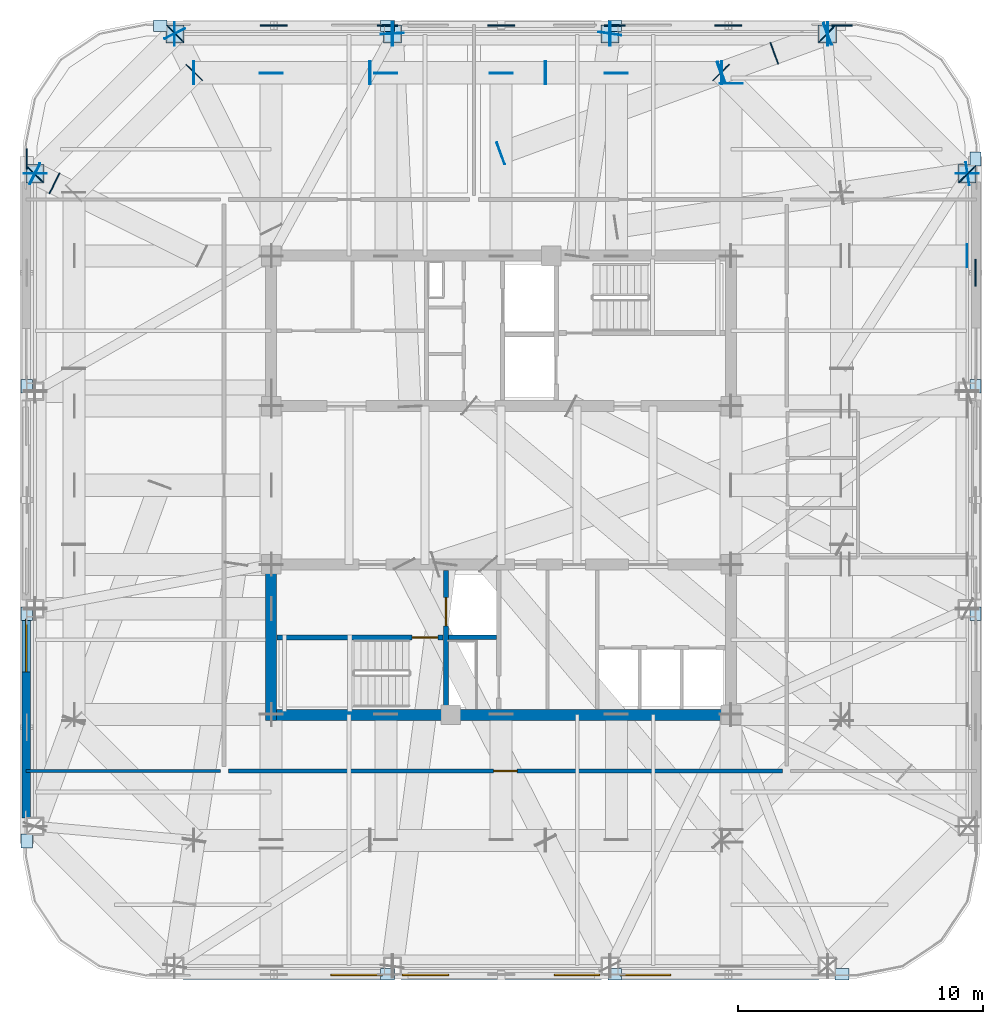
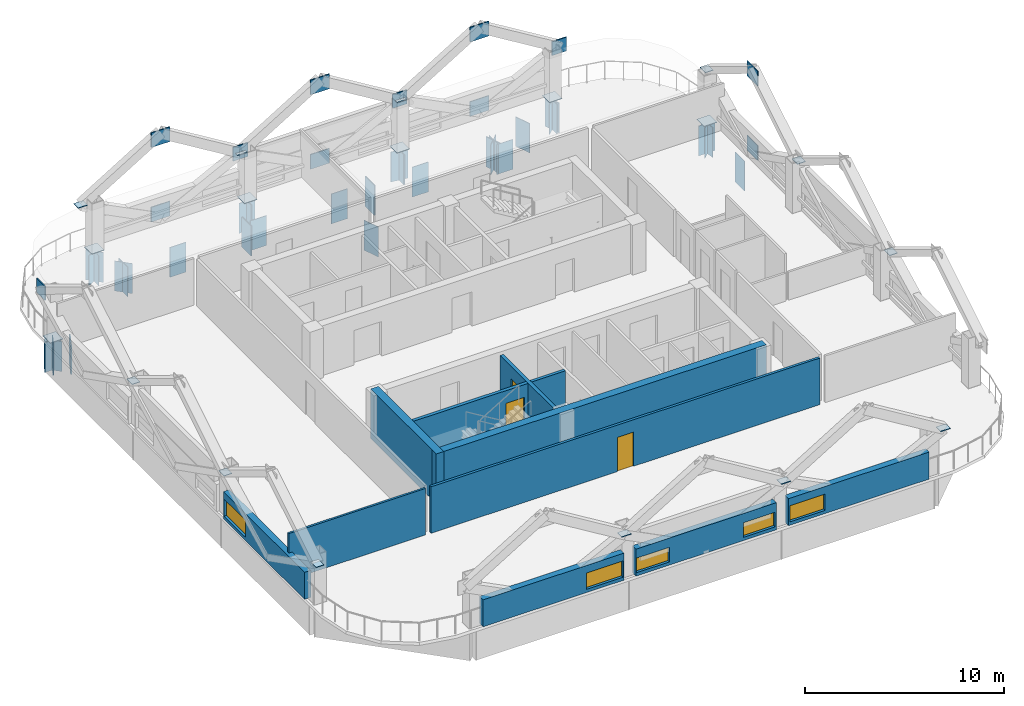
# One storey, part 5 of 11: 69 plates, 11 walls, 5 windows, 3 doors, 8 openings.
"""IFC4 building model written with IfcOpenShell, lengths in metres."""

from ifc_helpers import new_model, si_unit, direction, frame, frame_2d, origin, origin_2d, place, context, subcontext, project, spatial, rectangle, extrude, material, layer, layer_set, type_object, element, fill, save


model = new_model("IFC4")

# Units and contexts
model_context = context("Model", 3, precision=1e-05, world=origin(), true_north=direction((0.0, 1.0)))
body_context = subcontext(model_context, "Body", "Model", "MODEL_VIEW")
ifc_project = project(units=[si_unit("LENGTHUNIT", "METRE"), si_unit("AREAUNIT", "SQUARE_METRE"), si_unit("VOLUMEUNIT", "CUBIC_METRE"), si_unit("PLANEANGLEUNIT", "RADIAN"), si_unit("MASSUNIT", "GRAM", prefix="KILO")], contexts=[model_context])

# Site, building, storey
site_placement = place(None, origin())
site = spatial("IfcSite", under=ifc_project, at=site_placement, CompositionType="ELEMENT")
building_placement = place(site_placement, origin())
building = spatial("IfcBuilding", under=site, at=building_placement, Name="Qhalaya Broadcast Tower", CompositionType="ELEMENT")
storey_placement = place(building_placement, frame((0.0, 0.0, 199.5)))
storey = spatial("IfcBuildingStorey", under=building, at=storey_placement, Name="L58", CompositionType="ELEMENT", Elevation=199.5)

# Plates
ifc_material_1 = material(Name="Structural Steel ASTM A572 Grade 50", Category="steel")
ifc_layer_1 = layer(ifc_material_1, 0.054931640625, Name="Structural Steel ASTM A572 Grade 50")
ifc_layer_set_1 = layer_set([ifc_layer_1], Name="Structural Steel ASTM A572 Grade 50")
plate_type_1 = type_object("IfcPlateType", Name="Exoskeleton Diamond Node Gusset Plate NP-01", PredefinedType="USERDEFINED", material=ifc_layer_set_1)
for number, where, z_axis, x_axis, name in (
    (1, (19.340087890625, 9.2666015625, 0.2099609375), (0.0, 0.0, 1.0), (0.0, 1.0, 0.0), "Exoskeleton Diamond Node B5-E3-BOT"),
    (2, (19.340087890625, 9.2666015625, 4.780029296875), (0.0, 0.0, 1.0), (0.0, 1.0, 0.0), "Exoskeleton Diamond Node B5-E3-TOP"),
    (3, (9.2666015625, 19.340087890625, 0.2099609375), (0.0, 0.0, 1.0), (1.0, 0.0, 0.0), "Exoskeleton Diamond Node B5-N1-BOT"),
    (4, (9.2666015625, 19.340087890625, 4.780029296875), (0.0, 0.0, 1.0), (1.0, 0.0, 0.0), "Exoskeleton Diamond Node B5-N1-TOP"),
):
    element("IfcPlate", number, at=place(storey_placement, frame(where, z_axis=z_axis, x_axis=x_axis)), inside=storey, type_object=plate_type_1, Name=name, ObjectType="GUSSET_PLATE", PredefinedType="USERDEFINED", context=body_context, shape_type="SweptSolid", body=[
        extrude(rectangle(XDim=1.10009765625, YDim=0.054931640625, at=origin_2d()), origin(), (0.0, 0.0, 1.0), 0.89990234375),
    ])
plate_1_placement = place(storey_placement, frame((13.89990234375, 19.340087890625, 2.280029296875), z_axis=(0.0, 0.0, 1.0), x_axis=(1.0, 0.0, 0.0)))
element("IfcPlate", 5, at=plate_1_placement, inside=storey, type_object=plate_type_1, Name="Exoskeleton Diamond Node B5-N1-MDL", ObjectType="GUSSET_PLATE", PredefinedType="USERDEFINED", context=body_context, shape_type="SweptSolid", body=[
    extrude(rectangle(XDim=0.85009765625, YDim=0.054931640625, at=origin_2d()), origin(), (0.0, 0.0, 1.0), 0.85009765625),
])
for number, where, z_axis, x_axis, name in (
    (6, (0.0, 19.340087890625, 0.2099609375), (0.0, 0.0, 1.0), (1.0, 0.0, 0.0), "Exoskeleton Diamond Node B5-N2-BOT"),
    (7, (0.0, 19.340087890625, 4.780029296875), (0.0, 0.0, 1.0), (1.0, 0.0, 0.0), "Exoskeleton Diamond Node B5-N2-TOP"),
):
    element("IfcPlate", number, at=place(storey_placement, frame(where, z_axis=z_axis, x_axis=x_axis)), inside=storey, type_object=plate_type_1, Name=name, ObjectType="GUSSET_PLATE", PredefinedType="USERDEFINED", context=body_context, shape_type="SweptSolid", body=[
        extrude(rectangle(XDim=1.10009765625, YDim=0.054931640625, at=origin_2d()), origin(), (0.0, 0.0, 1.0), 0.89990234375),
    ])
plate_2_placement = place(storey_placement, frame((4.63330078125, 19.340087890625, 2.280029296875), z_axis=(0.0, 0.0, 1.0), x_axis=(1.0, 0.0, 0.0)))
element("IfcPlate", 8, at=plate_2_placement, inside=storey, type_object=plate_type_1, Name="Exoskeleton Diamond Node B5-N2-MDL", ObjectType="GUSSET_PLATE", PredefinedType="USERDEFINED", context=body_context, shape_type="SweptSolid", body=[
    extrude(rectangle(XDim=0.85009765625, YDim=0.054931640625, at=origin_2d()), origin(), (0.0, 0.0, 1.0), 0.85009765625),
])
for number, where, z_axis, x_axis, name in (
    (9, (-9.2666015625, 19.340087890625, 0.2099609375), (0.0, 0.0, 1.0), (1.0, 0.0, 0.0), "Exoskeleton Diamond Node B5-N3-BOT"),
    (10, (-9.2666015625, 19.340087890625, 4.780029296875), (0.0, 0.0, 1.0), (1.0, 0.0, 0.0), "Exoskeleton Diamond Node B5-N3-TOP"),
):
    element("IfcPlate", number, at=place(storey_placement, frame(where, z_axis=z_axis, x_axis=x_axis)), inside=storey, type_object=plate_type_1, Name=name, ObjectType="GUSSET_PLATE", PredefinedType="USERDEFINED", context=body_context, shape_type="SweptSolid", body=[
        extrude(rectangle(XDim=1.10009765625, YDim=0.054931640625, at=origin_2d()), origin(), (0.0, 0.0, 1.0), 0.89990234375),
    ])
for number, where, z_axis, x_axis, name in (
    (11, (-4.63330078125, 19.340087890625, 2.280029296875), (0.0, 0.0, 1.0), (1.0, 0.0, 0.0), "Exoskeleton Diamond Node B5-N3-MDL"),
    (12, (-19.340087890625, 13.89990234375, 2.280029296875), (0.0, 0.0, 1.0), (0.0, 1.0, 0.0), "Exoskeleton Diamond Node B5-W1-MDL"),
):
    element("IfcPlate", number, at=place(storey_placement, frame(where, z_axis=z_axis, x_axis=x_axis)), inside=storey, type_object=plate_type_1, Name=name, ObjectType="GUSSET_PLATE", PredefinedType="USERDEFINED", context=body_context, shape_type="SweptSolid", body=[
        extrude(rectangle(XDim=0.85009765625, YDim=0.054931640625, at=origin_2d()), origin(), (0.0, 0.0, 1.0), 0.85009765625),
    ])
ifc_layer_2 = layer(ifc_material_1, 0.4599609375, Name="Structural Steel ASTM A572 Grade 50")
ifc_layer_set_2 = layer_set([ifc_layer_2], Name="Structural Steel ASTM A572 Grade 50")
plate_type_2 = type_object("IfcPlateType", Name="Hollow Box Member End Cap Plate CP-01", PredefinedType="USERDEFINED", material=ifc_layer_set_2)
for number, where, z_axis, x_axis, name in (
    (13, (19.0, 13.31591796875, -2.01025390625), (0.0, 0.0, 1.0), (-1.0, 0.0, 0.0), "L58 Hollow Girder End Cap L58-SPR-07-B"),
    (14, (19.01123046875, 13.288818359375, -2.01025390625), (0.0, 0.0, 1.0), (-0.707106781187, -0.707106781187, 0.0), "L58 Hollow Girder End Cap L58-SPR-08-A"),
    (15, (13.288818359375, 19.01123046875, -2.01025390625), (0.0, 0.0, 1.0), (-0.707106781187, -0.707106781187, 0.0), "L58 Hollow Girder End Cap L58-SPR-08-B"),
    (16, (13.31591796875, 19.0, -2.01025390625), (0.0, 0.0, 1.0), (0.0, -1.0, 0.0), "L58 Hollow Girder End Cap L58-SPR-09-A"),
    (17, (4.417236328125, 19.0, -2.01025390625), (0.0, 0.0, 1.0), (0.0, -1.0, 0.0), "L58 Hollow Girder End Cap L58-SPR-09-B"),
    (18, (4.44921875, 19.0, -2.01025390625), (0.0, 0.0, 1.0), (0.0, -1.0, 0.0), "L58 Hollow Girder End Cap L58-SPR-10-A"),
    (19, (-4.44921875, 19.0, -2.01025390625), (0.0, 0.0, 1.0), (0.0, -1.0, 0.0), "L58 Hollow Girder End Cap L58-SPR-10-B"),
    (20, (-4.417236328125, 19.0, -2.01025390625), (0.0, 0.0, 1.0), (0.0, -1.0, 0.0), "L58 Hollow Girder End Cap L58-SPR-11-A"),
    (21, (-13.31591796875, 19.0, -2.01025390625), (0.0, 0.0, 1.0), (0.0, -1.0, 0.0), "L58 Hollow Girder End Cap L58-SPR-11-B"),
    (22, (-13.288818359375, 19.01123046875, -2.01025390625), (0.0, 0.0, 1.0), (0.707106781187, -0.707106781187, 0.0), "L58 Hollow Girder End Cap L58-SPR-12-A"),
    (23, (-19.01123046875, 13.288818359375, -2.01025390625), (0.0, 0.0, 1.0), (0.707106781187, -0.707106781187, 0.0), "L58 Hollow Girder End Cap L58-SPR-12-B"),
    (24, (-19.0, 13.31591796875, -2.01025390625), (0.0, 0.0, 1.0), (1.0, 0.0, 0.0), "L58 Hollow Girder End Cap L58-SPR-13-A"),
    (25, (8.96875, 17.431396484375, -2.01025390625), (0.0, 0.0, 1.0), (-0.707106781187, -0.707106781187, 0.0), "L58 Hollow Girder End Cap L58-TGL-08-B"),
    (26, (8.99609375, 17.419921875, -2.01025390625), (0.0, 0.0, 1.0), (0.0, -1.0, 0.0), "L58 Hollow Girder End Cap L58-TGL-09-A"),
    (27, (1.79736328125, 17.419921875, -2.01025390625), (0.0, 0.0, 1.0), (0.0, -1.0, 0.0), "L58 Hollow Girder End Cap L58-TGL-09-B"),
    (28, (1.829345703125, 17.419921875, -2.01025390625), (0.0, 0.0, 1.0), (0.0, -1.0, 0.0), "L58 Hollow Girder End Cap L58-TGL-10-A"),
    (29, (-5.369384765625, 17.419921875, -2.01025390625), (0.0, 0.0, 1.0), (0.0, -1.0, 0.0), "L58 Hollow Girder End Cap L58-TGL-10-B"),
    (30, (-5.33740234375, 17.419921875, -2.01025390625), (0.0, 0.0, 1.0), (0.0, -1.0, 0.0), "L58 Hollow Girder End Cap L58-TGL-11-A"),
    (31, (-12.535888671875, 17.419921875, -2.01025390625), (0.0, 0.0, 1.0), (0.0, -1.0, 0.0), "L58 Hollow Girder End Cap L58-TGL-11-B"),
    (32, (-12.5087890625, 17.431396484375, -2.01025390625), (0.0, 0.0, 1.0), (0.707106781187, -0.707106781187, 0.0), "L58 Hollow Girder End Cap L58-TGL-12-A"),
    (33, (-9.375, 17.39599609375, -2.01025390625), (0.0, 0.0, 1.0), (-1.0, 0.0, 0.0), "L58 Hollow Girder End Cap L58-TGINW-1-B"),
    (34, (9.375, 16.984375, -2.01025390625), (0.0, 0.0, 1.0), (-1.0, 0.0, 0.0), "L58 Hollow Girder End Cap L58-TGINE-1-B"),
    (35, (0.0, 17.39599609375, -2.01025390625), (0.0, 0.0, 1.0), (-1.0, 0.0, 0.0), "L58 Hollow Girder End Cap L58-TGIMN-1-B"),
    (36, (-4.699951171875, 17.39599609375, -2.01025390625), (0.0, 0.0, 1.0), (-1.0, 0.0, 0.0), "L58 Hollow Girder End Cap L58-TGIMNW-1-B"),
    (37, (4.699951171875, 17.39599609375, -2.01025390625), (0.0, 0.0, 1.0), (-1.0, 0.0, 0.0), "L58 Hollow Girder End Cap L58-TGIMNE-1-B"),
    (38, (19.015869140625, 13.302490234375, -2.01025390625), (0.0, 0.0, 1.0), (-0.150605193055, 0.988593989373, 0.0), "L58 Hollow Girder End Cap L58-TGC-08-B"),
    (39, (-0.014892578125, 14.130126953125, -2.01025390625), (0.0, 0.0, 1.0), (-0.343495786485, 0.939154217723, 0.0), "L58 Hollow Girder End Cap L58-TGA-09-A"),
    (40, (8.9951171875, 17.425537109375, -2.01025390625), (0.0, 0.0, 1.0), (-0.343495786485, 0.939154217723, 0.0), "L58 Hollow Girder End Cap L58-TGA-09-B"),
    (41, (8.965087890625, 17.41455078125, -2.01025390625), (0.0, 0.0, 1.0), (-0.343495786485, 0.939154217723, 0.0), "L58 Hollow Girder End Cap L58-TGC-09-A"),
    (42, (13.31494140625, 19.005615234375, -2.01025390625), (0.0, 0.0, 1.0), (-0.343495786485, 0.939154217723, 0.0), "L58 Hollow Girder End Cap L58-TGC-09-B"),
):
    element("IfcPlate", number, at=place(storey_placement, frame(where, z_axis=z_axis, x_axis=x_axis)), inside=storey, type_object=plate_type_2, Name=name, ObjectType="COVER_PLATE", PredefinedType="USERDEFINED", context=body_context, shape_type="SweptSolid", body=[
        extrude(rectangle(XDim=0.93994140625, YDim=0.031982421875, at=origin_2d()), origin(), (0.0, 0.0, 1.0), 1.840087890625),
    ])
plate_3_placement = place(storey_placement, frame((13.300048828125, 19.0, -1.990234375), z_axis=(0.0, 0.0, 1.0), x_axis=(-0.343495786485, 0.939154217723, 0.0)))
element("IfcPlate", 43, at=plate_3_placement, inside=storey, type_object=plate_type_2, Name="L58 Transfer Box End Cap 09", ObjectType="COVER_PLATE", PredefinedType="USERDEFINED", context=body_context, shape_type="SweptSolid", body=[
    extrude(rectangle(XDim=0.919921875, YDim=0.035888671875, at=origin_2d()), origin(), (0.0, 0.0, 1.0), 1.800048828125),
])
for number, where, z_axis, x_axis, name in (
    (44, (4.435546875, 19.015869140625, -2.01025390625), (0.0, 0.0, 1.0), (-0.989472813294, 0.144718871441, 0.0), "L58 Hollow Girder End Cap L58-TGA-10-B"),
    (45, (-4.43408203125, 19.01611328125, -2.01025390625), (0.0, 0.0, 1.0), (-0.998863409967, -0.047664328684, 0.0), "L58 Hollow Girder End Cap L58-TGA-11-B"),
    (46, (-13.30712890625, 19.014404296875, -2.01025390625), (0.0, 0.0, 1.0), (-0.896687397402, -0.442664332582, 0.0), "L58 Hollow Girder End Cap L58-TGA-12-B"),
    (47, (-19.014404296875, 13.30712890625, -2.01025390625), (0.0, 0.0, 1.0), (-0.442664332582, -0.896687397402, 0.0), "L58 Hollow Girder End Cap L58-TGA-13-B"),
):
    element("IfcPlate", number, at=place(storey_placement, frame(where, z_axis=z_axis, x_axis=x_axis)), inside=storey, type_object=plate_type_2, Name=name, ObjectType="COVER_PLATE", PredefinedType="USERDEFINED", context=body_context, shape_type="SweptSolid", body=[
        extrude(rectangle(XDim=0.93994140625, YDim=0.031982421875, at=origin_2d()), origin(), (0.0, 0.0, 1.0), 1.840087890625),
    ])
plate_4_placement = place(storey_placement, frame((-19.0, 13.300048828125, -1.990234375), z_axis=(0.0, 0.0, 1.0), x_axis=(-0.442664332582, -0.896687397402, 0.0)))
element("IfcPlate", 48, at=plate_4_placement, inside=storey, type_object=plate_type_2, Name="L58 Transfer Box End Cap 13", ObjectType="COVER_PLATE", PredefinedType="USERDEFINED", context=body_context, shape_type="SweptSolid", body=[
    extrude(rectangle(XDim=0.919921875, YDim=0.035888671875, at=origin_2d()), origin(), (0.0, 0.0, 1.0), 1.800048828125),
])
plate_5_placement = place(storey_placement, frame((18.99609375, 9.949951171875, -2.01025390625), z_axis=(0.0, 0.0, 1.0), x_axis=(0.0, 1.0, 0.0)))
element("IfcPlate", 49, at=plate_5_placement, inside=storey, type_object=plate_type_2, Name="L58 Hollow Girder End Cap L58-PGYE4-OV1-B", ObjectType="COVER_PLATE", PredefinedType="USERDEFINED", context=body_context, shape_type="SweptSolid", body=[
    extrude(rectangle(XDim=0.93994140625, YDim=0.031982421875, at=origin_2d()), origin(), (0.0, 0.0, 1.0), 1.840087890625),
])
for number, where, z_axis, x_axis, name in (
    (50, (19.0, 13.300048828125, -0.0322265625), (0.0, 0.0, 1.0), (0.0, 1.0, 0.0), "L58 Hollow Box Column Base Cap Plate COL-EX08"),
    (51, (13.300048828125, 19.0, -0.0322265625), (0.0, 0.0, 1.0), (1.0, 0.0, 0.0), "L58 Hollow Box Column Base Cap Plate COL-EX09"),
    (52, (4.433349609375, 19.0, -0.0322265625), (0.0, 0.0, 1.0), (1.0, 0.0, 0.0), "L58 Hollow Box Column Base Cap Plate COL-EX10"),
    (53, (-4.433349609375, 19.0, -0.0322265625), (0.0, 0.0, 1.0), (1.0, 0.0, 0.0), "L58 Hollow Box Column Base Cap Plate COL-EX11"),
    (54, (-13.300048828125, 19.0, -0.0322265625), (0.0, 0.0, 1.0), (1.0, 0.0, 0.0), "L58 Hollow Box Column Base Cap Plate COL-EX12"),
    (55, (-19.0, 13.300048828125, -0.0322265625), (0.0, 0.0, 1.0), (0.0, 1.0, 0.0), "L58 Hollow Box Column Base Cap Plate COL-EX13"),
):
    element("IfcPlate", number, at=place(storey_placement, frame(where, z_axis=z_axis, x_axis=x_axis)), inside=storey, type_object=plate_type_2, Name=name, ObjectType="COVER_PLATE", PredefinedType="USERDEFINED", context=body_context, shape_type="SweptSolid", body=[
        extrude(rectangle(XDim=0.739990234375, YDim=0.739990234375, at=origin_2d()), origin(), (0.0, 0.0, 1.0), 0.031982421875),
    ])
for number, where, z_axis, x_axis, name in (
    (56, (-4.63330078125, -19.340087890625, 2.68896484375), (0.0, 0.0, 1.0), (1.0, 0.0, 0.0), "Exoskeleton Hollow End Cap B5-S1"),
    (57, (4.63330078125, -19.340087890625, 2.68896484375), (0.0, 0.0, 1.0), (1.0, 0.0, 0.0), "Exoskeleton Hollow End Cap B5-S2"),
    (58, (13.89990234375, -19.340087890625, 2.68896484375), (0.0, 0.0, 1.0), (1.0, 0.0, 0.0), "Exoskeleton Hollow End Cap B5-S3"),
    (59, (19.340087890625, -4.63330078125, 2.68896484375), (0.0, 0.0, 1.0), (0.0, 1.0, 0.0), "Exoskeleton Hollow End Cap B5-E1"),
    (60, (19.340087890625, 4.63330078125, 2.68896484375), (0.0, 0.0, 1.0), (0.0, 1.0, 0.0), "Exoskeleton Hollow End Cap B5-E2"),
    (61, (19.340087890625, 13.89990234375, 2.68896484375), (0.0, 0.0, 1.0), (0.0, 1.0, 0.0), "Exoskeleton Hollow End Cap B5-E3"),
    (62, (4.63330078125, 19.340087890625, 2.68896484375), (0.0, 0.0, 1.0), (1.0, 0.0, 0.0), "Exoskeleton Hollow End Cap B5-N1"),
    (63, (-4.63330078125, 19.340087890625, 2.68896484375), (0.0, 0.0, 1.0), (1.0, 0.0, 0.0), "Exoskeleton Hollow End Cap B5-N2"),
    (64, (-13.89990234375, 19.340087890625, 2.68896484375), (0.0, 0.0, 1.0), (1.0, 0.0, 0.0), "Exoskeleton Hollow End Cap B5-N3"),
    (65, (-19.340087890625, 4.63330078125, 2.68896484375), (0.0, 0.0, 1.0), (0.0, 1.0, 0.0), "Exoskeleton Hollow End Cap B5-W1"),
    (66, (-19.340087890625, -4.63330078125, 2.68896484375), (0.0, 0.0, 1.0), (0.0, 1.0, 0.0), "Exoskeleton Hollow End Cap B5-W2"),
    (67, (-19.340087890625, -13.89990234375, 2.68896484375), (0.0, 0.0, 1.0), (0.0, 1.0, 0.0), "Exoskeleton Hollow End Cap B5-W3"),
):
    element("IfcPlate", number, at=place(storey_placement, frame(where, z_axis=z_axis, x_axis=x_axis)), inside=storey, type_object=plate_type_2, Name=name, ObjectType="COVER_PLATE", PredefinedType="USERDEFINED", context=body_context, shape_type="SweptSolid", body=[
        extrude(rectangle(XDim=0.56005859375, YDim=0.4599609375, at=origin_2d()), origin(), (0.0, 0.0, 1.0), 0.031982421875),
    ])
ifc_layer_3 = layer(ifc_material_1, 0.044921875, Name="Structural Steel ASTM A572 Grade 50")
ifc_layer_set_3 = layer_set([ifc_layer_3], Name="Structural Steel ASTM A572 Grade 50")
plate_type_3 = type_object("IfcPlateType", Name="Transfer Girder Web Stiffener Plate WS-01", PredefinedType="USERDEFINED", material=ifc_layer_set_3)
for number, where, z_axis, x_axis, name in (
    (68, (11.139892578125, 18.2099609375, -1.990234375), (0.0, 0.0, 1.0), (-0.343495786485, 0.939154217723, 0.0), "L58 Transfer Girder Stiffener 09"),
    (69, (-18.2099609375, 12.909912109375, -1.990234375), (0.0, 0.0, 1.0), (-0.442664332582, -0.896687397402, 0.0), "L58 Transfer Girder Stiffener 13"),
):
    element("IfcPlate", number, at=place(storey_placement, frame(where, z_axis=z_axis, x_axis=x_axis)), inside=storey, type_object=plate_type_3, Name=name, ObjectType="STIFFENER_PLATE", PredefinedType="USERDEFINED", context=body_context, shape_type="SweptSolid", body=[
        extrude(rectangle(XDim=0.93994140625, YDim=0.044921875, at=origin_2d()), origin(), (0.0, 0.0, 1.0), 1.800048828125),
    ])

# Wall, opening, door
ifc_material_2 = material(Name="Gypsum Acoustic Partition")
ifc_layer_4 = layer(ifc_material_2, 0.14990234375, Name="Gypsum Acoustic Partition")
ifc_layer_set_4 = layer_set([ifc_layer_4], Name="Gypsum Acoustic Partition")
wall_type_1 = type_object("IfcWallType", Name="Corridor & Tenancy Acoustic Partition 150", PredefinedType="PARTITIONING", material=ifc_layer_set_4)
wall_1_placement = place(storey_placement, frame((-11.1201171875, -11.050048828125, 0.0), z_axis=(0.0, 0.0, 1.0), x_axis=(1.0, 0.0, 0.0)))
wall_1 = element("IfcWall", 70, at=wall_1_placement, inside=storey, type_object=wall_type_1, Name="L58 Partition Wall W-COR-03", PredefinedType="PARTITIONING", context=body_context, shape_type="SweptSolid", body=[
    extrude(rectangle(XDim=22.590087890625, YDim=0.14990234375, at=frame_2d((11.294921875, 0.0))), origin(), (0.0, 0.0, 1.0), 2.860107421875),
])
opening_1_placement = place(wall_1_placement, frame((10.820068359375, 0.0, 0.0)))
opening_1 = element("IfcOpeningElement", 71, at=opening_1_placement, cuts=wall_1, Name="Opening D10", PredefinedType="OPENING", context=body_context, shape_type="SweptSolid", body=[
    extrude(rectangle(XDim=0.949951171875, YDim=2.10009765625, at=frame_2d((0.47509765625, 1.050048828125))), frame((0.0, 0.0869140625, 0.0), z_axis=(0.0, -1.0, 0.0), x_axis=(1.0, 0.0, 0.0)), (0.0, 0.0, 1.0), 0.173828125),
])
ifc_material_3 = material(Name="Timber Veneer Acoustic Door", Category="wood")
door_type_1 = type_object("IfcDoorType", Name="Cellular Office & Edit Booth Door D10", OperationType="NOTDEFINED", PredefinedType="DOOR", material=ifc_material_3)
door_1_placement = place(opening_1_placement, origin())
door_1 = element("IfcDoor", 72, at=door_1_placement, inside=storey, type_object=door_type_1, Name="L58 Door D-RM03", OperationType="SINGLE_SWING_RIGHT", OverallHeight=2.10009765625, OverallWidth=0.949951171875, PredefinedType="DOOR", context=body_context, shape_type="SweptSolid", body=[
    extrude(rectangle(XDim=0.949951171875, YDim=2.10009765625, at=frame_2d((0.47509765625, 1.050048828125))), frame((0.0, 0.02490234375, 0.0), z_axis=(0.0, -1.0, 0.0), x_axis=(1.0, 0.0, 0.0)), (0.0, 0.0, 1.0), 0.050048828125),
])
fill(opening_1, door_1)

# Wall, opening, window
ifc_material_4 = material(Name="Precast Concrete C40/50", Category="concrete")
ifc_layer_5 = layer(ifc_material_4, 0.360107421875, Name="Precast Concrete C40/50")
ifc_layer_set_5 = layer_set([ifc_layer_5], Name="Precast Concrete C40/50")
wall_type_2 = type_object("IfcWallType", Name="Insulated Precast Terracotta Exterior Wall 360", PredefinedType="SOLIDWALL", material=ifc_layer_set_5)
wall_2_placement = place(storey_placement, frame((12.9619140625, -19.360107421875, 0.0), z_axis=(0.0, 0.0, 1.0), x_axis=(-1.0, 0.0, 0.0)))
wall_2 = element("IfcWall", 73, at=wall_2_placement, inside=storey, type_object=wall_type_2, Name="L58 Exoskeleton Diagrid Infill Wall S1", PredefinedType="SOLIDWALL", context=body_context, shape_type="SweptSolid", body=[
    extrude(rectangle(XDim=8.1787109375, YDim=0.360107421875, at=frame_2d((4.08935546875, 0.0))), origin(), (0.0, 0.0, 1.0), 1.662109375),
])
opening_2_placement = place(wall_2_placement, frame((6.050048828125, 0.0, 0.199951171875)))
opening_2 = element("IfcOpeningElement", 74, at=opening_2_placement, cuts=wall_2, Name="Opening W13", PredefinedType="OPENING", context=body_context, shape_type="SweptSolid", body=[
    extrude(rectangle(XDim=2.050048828125, YDim=1.0, at=frame_2d((1.02490234375, 0.5))), frame((0.0, 0.192138671875, 0.0), z_axis=(0.0, -1.0, 0.0), x_axis=(1.0, 0.0, 0.0)), (0.0, 0.0, 1.0), 0.384033203125),
])
ifc_material_5 = material(Name="Solar-Control Low-E Triple Glazing", Category="glass")
window_type = type_object("IfcWindowType", Name="Upper-Block Diagrid Infill Window W13", PartitioningType="SINGLE_PANEL", PredefinedType="WINDOW", material=ifc_material_5)
window_1_placement = place(opening_2_placement, origin())
window_1 = element("IfcWindow", 75, at=window_1_placement, inside=storey, type_object=window_type, Name="L58 Diagrid Infill Window W13-S1", OverallHeight=1.0, OverallWidth=2.050048828125, PartitioningType="SINGLE_PANEL", PredefinedType="WINDOW", context=body_context, shape_type="SweptSolid", body=[
    extrude(rectangle(XDim=2.050048828125, YDim=1.0, at=frame_2d((1.02490234375, 0.5))), frame((0.0, 0.030029296875, 0.0), z_axis=(0.0, -1.0, 0.0), x_axis=(1.0, 0.0, 0.0)), (0.0, 0.0, 1.0), 0.06005859375),
])
fill(opening_2, window_1)

# Wall, openings, windows
wall_3_placement = place(storey_placement, frame((4.083251953125, -19.360107421875, 0.0), z_axis=(0.0, 0.0, 1.0), x_axis=(-1.0, 0.0, 0.0)))
wall_3 = element("IfcWall", 76, at=wall_3_placement, inside=storey, type_object=wall_type_2, Name="L58 Exoskeleton Diagrid Infill Wall S2", PredefinedType="SOLIDWALL", context=body_context, shape_type="SweptSolid", body=[
    extrude(rectangle(XDim=8.16650390625, YDim=0.360107421875, at=frame_2d((4.083251953125, 0.0))), origin(), (0.0, 0.0, 1.0), 1.662109375),
])
opening_3_placement = place(wall_3_placement, frame((0.071044921875, 0.0, 0.199951171875)))
opening_3 = element("IfcOpeningElement", 77, at=opening_3_placement, cuts=wall_3, Name="Opening W13", PredefinedType="OPENING", context=body_context, shape_type="SweptSolid", body=[
    extrude(rectangle(XDim=1.85009765625, YDim=0.89990234375, at=frame_2d((0.925048828125, 0.449951171875))), frame((0.0, 0.192138671875, 0.0), z_axis=(0.0, -1.0, 0.0), x_axis=(1.0, 0.0, 0.0)), (0.0, 0.0, 1.0), 0.384033203125),
])
opening_4_placement = place(wall_3_placement, frame((6.220947265625, 0.0, 0.199951171875)))
opening_4 = element("IfcOpeningElement", 78, at=opening_4_placement, cuts=wall_3, Name="Opening W13", PredefinedType="OPENING", context=body_context, shape_type="SweptSolid", body=[
    extrude(rectangle(XDim=1.89990234375, YDim=0.89990234375, at=frame_2d((0.949951171875, 0.449951171875))), frame((0.0, 0.192138671875, 0.0), z_axis=(0.0, -1.0, 0.0), x_axis=(1.0, 0.0, 0.0)), (0.0, 0.0, 1.0), 0.384033203125),
])
window_2_placement = place(opening_3_placement, origin())
window_2 = element("IfcWindow", 79, at=window_2_placement, inside=storey, type_object=window_type, Name="L58 Diagrid Infill Window W13-S2", OverallHeight=0.89990234375, OverallWidth=1.85009765625, PartitioningType="SINGLE_PANEL", PredefinedType="WINDOW", context=body_context, shape_type="SweptSolid", body=[
    extrude(rectangle(XDim=1.85009765625, YDim=0.89990234375, at=frame_2d((0.925048828125, 0.449951171875))), frame((0.0, 0.030029296875, 0.0), z_axis=(0.0, -1.0, 0.0), x_axis=(1.0, 0.0, 0.0)), (0.0, 0.0, 1.0), 0.06005859375),
])
fill(opening_3, window_2)
window_3_placement = place(opening_4_placement, origin())
window_3 = element("IfcWindow", 80, at=window_3_placement, inside=storey, type_object=window_type, Name="L58 Diagrid Infill Window W13-S3", OverallHeight=0.89990234375, OverallWidth=1.89990234375, PartitioningType="SINGLE_PANEL", PredefinedType="WINDOW", context=body_context, shape_type="SweptSolid", body=[
    extrude(rectangle(XDim=1.89990234375, YDim=0.89990234375, at=frame_2d((0.949951171875, 0.449951171875))), frame((0.0, 0.030029296875, 0.0), z_axis=(0.0, -1.0, 0.0), x_axis=(1.0, 0.0, 0.0)), (0.0, 0.0, 1.0), 0.06005859375),
])
fill(opening_4, window_3)

# Wall, opening, window
wall_4_placement = place(storey_placement, frame((-4.783203125, -19.360107421875, 0.0), z_axis=(0.0, 0.0, 1.0), x_axis=(-1.0, 0.0, 0.0)))
wall_4 = element("IfcWall", 81, at=wall_4_placement, inside=storey, type_object=wall_type_2, Name="L58 Exoskeleton Diagrid Infill Wall S3", PredefinedType="SOLIDWALL", context=body_context, shape_type="SweptSolid", body=[
    extrude(rectangle(XDim=8.1787109375, YDim=0.360107421875, at=frame_2d((4.08935546875, 0.0))), origin(), (0.0, 0.0, 1.0), 1.662109375),
])
opening_5_placement = place(wall_4_placement, frame((0.054931640625, 0.0, 0.199951171875)))
opening_5 = element("IfcOpeningElement", 82, at=opening_5_placement, cuts=wall_4, Name="Opening W13", PredefinedType="OPENING", context=body_context, shape_type="SweptSolid", body=[
    extrude(rectangle(XDim=2.10009765625, YDim=1.0, at=frame_2d((1.050048828125, 0.5))), frame((0.0, 0.192138671875, 0.0), z_axis=(0.0, -1.0, 0.0), x_axis=(1.0, 0.0, 0.0)), (0.0, 0.0, 1.0), 0.384033203125),
])
window_4_placement = place(opening_5_placement, origin())
window_4 = element("IfcWindow", 83, at=window_4_placement, inside=storey, type_object=window_type, Name="L58 Diagrid Infill Window W13-S4", OverallHeight=1.0, OverallWidth=2.10009765625, PartitioningType="SINGLE_PANEL", PredefinedType="WINDOW", context=body_context, shape_type="SweptSolid", body=[
    extrude(rectangle(XDim=2.10009765625, YDim=1.0, at=frame_2d((1.050048828125, 0.5))), frame((0.0, 0.030029296875, 0.0), z_axis=(0.0, -1.0, 0.0), x_axis=(1.0, 0.0, 0.0)), (0.0, 0.0, 1.0), 0.06005859375),
])
fill(opening_5, window_4)

wall_5_placement = place(storey_placement, frame((-19.360107421875, -12.9619140625, 0.0), z_axis=(0.0, 0.0, 1.0), x_axis=(0.0, 1.0, 0.0)))
wall_5 = element("IfcWall", 84, at=wall_5_placement, inside=storey, type_object=wall_type_2, Name="L58 Exoskeleton Diagrid Infill Wall W1", PredefinedType="SOLIDWALL", context=body_context, shape_type="SweptSolid", body=[
    extrude(rectangle(XDim=8.1787109375, YDim=0.360107421875, at=frame_2d((4.08935546875, 0.0))), origin(), (0.0, 0.0, 1.0), 1.662109375),
])
opening_6_placement = place(wall_5_placement, frame((5.949951171875, 0.0, 0.199951171875)))
opening_6 = element("IfcOpeningElement", 85, at=opening_6_placement, cuts=wall_5, Name="Opening W13", PredefinedType="OPENING", context=body_context, shape_type="SweptSolid", body=[
    extrude(rectangle(XDim=2.14990234375, YDim=1.050048828125, at=frame_2d((1.074951171875, 0.52490234375))), frame((0.0, 0.192138671875, 0.0), z_axis=(0.0, -1.0, 0.0), x_axis=(1.0, 0.0, 0.0)), (0.0, 0.0, 1.0), 0.384033203125),
])
window_5_placement = place(opening_6_placement, origin())
window_5 = element("IfcWindow", 86, at=window_5_placement, inside=storey, type_object=window_type, Name="L58 Diagrid Infill Window W13-W1", OverallHeight=1.050048828125, OverallWidth=2.14990234375, PartitioningType="SINGLE_PANEL", PredefinedType="WINDOW", context=body_context, shape_type="SweptSolid", body=[
    extrude(rectangle(XDim=2.14990234375, YDim=1.050048828125, at=frame_2d((1.074951171875, 0.52490234375))), frame((0.0, 0.030029296875, 0.0), z_axis=(0.0, -1.0, 0.0), x_axis=(1.0, 0.0, 0.0)), (0.0, 0.0, 1.0), 0.06005859375),
])
fill(opening_6, window_5)

# Wall, opening, door
ifc_material_6 = material(Name="Concrete C50/60", Category="concrete")
ifc_layer_6 = layer(ifc_material_6, 0.199951171875, Name="Concrete C50/60")
ifc_layer_set_6 = layer_set([ifc_layer_6], Name="Concrete C50/60")
wall_type_3 = type_object("IfcWallType", Name="Load-Bearing Stair Shaft Wall 200", PredefinedType="SHEAR", material=ifc_layer_set_6)
wall_6_placement = place(storey_placement, frame((-9.1298828125, -5.60498046875, 0.0), z_axis=(0.0, 0.0, 1.0), x_axis=(1.0, 0.0, 0.0)))
wall_6 = element("IfcWall", 87, at=wall_6_placement, inside=storey, type_object=wall_type_3, Name="L58 Stair Core Shear Wall SCW-ST2", PredefinedType="SHEAR", context=body_context, shape_type="SweptSolid", body=[
    extrude(rectangle(XDim=6.769775390625, YDim=0.199951171875, at=frame_2d((3.384765625, 0.0))), origin(), (0.0, 0.0, 1.0), 2.860107421875),
])
opening_7_placement = place(wall_6_placement, frame((5.5, 0.0, 0.0)))
opening_7 = element("IfcOpeningElement", 88, at=opening_7_placement, cuts=wall_6, Name="Opening D03", PredefinedType="OPENING", context=body_context, shape_type="SweptSolid", body=[
    extrude(rectangle(XDim=1.050048828125, YDim=2.080078125, at=frame_2d((0.52490234375, 1.0400390625))), frame((0.0, 0.112060546875, 0.0), z_axis=(0.0, -1.0, 0.0), x_axis=(1.0, 0.0, 0.0)), (0.0, 0.0, 1.0), 0.223876953125),
])
ifc_material_7 = material(Name="Fire-Rated Steel Door", Category="steel")
door_type_2 = type_object("IfcDoorType", Name="Core Stair Protected Fire Door D03", OperationType="NOTDEFINED", PredefinedType="DOOR", material=ifc_material_7)
door_2_placement = place(opening_7_placement, origin())
door_2 = element("IfcDoor", 89, at=door_2_placement, inside=storey, type_object=door_type_2, Name="L58 Door D-SST2", OperationType="SINGLE_SWING_RIGHT", OverallHeight=2.080078125, OverallWidth=1.050048828125, PredefinedType="DOOR", context=body_context, shape_type="SweptSolid", body=[
    extrude(rectangle(XDim=1.050048828125, YDim=2.080078125, at=frame_2d((0.52490234375, 1.0400390625))), frame((0.0, 0.02490234375, 0.0), z_axis=(0.0, -1.0, 0.0), x_axis=(1.0, 0.0, 0.0)), (0.0, 0.0, 1.0), 0.050048828125),
])
fill(opening_7, door_2)

wall_7_placement = place(storey_placement, frame((-2.25, -8.530029296875, 0.0), z_axis=(0.0, 0.0, 1.0), x_axis=(0.0, 1.0, 0.0)))
wall_7 = element("IfcWall", 90, at=wall_7_placement, inside=storey, type_object=wall_type_3, Name="L58 Stair Core Shear Wall SCW-FF", PredefinedType="SHEAR", context=body_context, shape_type="SweptSolid", body=[
    extrude(rectangle(XDim=5.659912109375, YDim=0.199951171875, at=frame_2d((2.830078125, 0.0))), origin(), (0.0, 0.0, 1.0), 2.860107421875),
])
opening_8_placement = place(wall_7_placement, frame((3.39990234375, 0.0, 0.0)))
opening_8 = element("IfcOpeningElement", 91, at=opening_8_placement, cuts=wall_7, Name="Opening LD2", PredefinedType="OPENING", context=body_context, shape_type="SweptSolid", body=[
    extrude(rectangle(XDim=1.14990234375, YDim=2.080078125, at=frame_2d((0.574951171875, 1.0400390625))), frame((0.0, 0.112060546875, 0.0), z_axis=(0.0, -1.0, 0.0), x_axis=(1.0, 0.0, 0.0)), (0.0, 0.0, 1.0), 0.223876953125),
])
ifc_material_8 = material(Name="Brushed Stainless Steel Lift Door", Category="steel")
door_type_3 = type_object("IfcDoorType", Name="Firefighting Lift Sliding Landing Door LD2", OperationType="DOUBLE_DOOR_SLIDING", PredefinedType="DOOR", material=ifc_material_8)
door_3_placement = place(opening_8_placement, origin())
door_3 = element("IfcDoor", 92, at=door_3_placement, inside=storey, type_object=door_type_3, Name="L58 Door LD-FF2", OperationType="DOUBLE_DOOR_SLIDING", OverallHeight=2.080078125, OverallWidth=1.14990234375, PredefinedType="DOOR", context=body_context, shape_type="SweptSolid", body=[
    extrude(rectangle(XDim=1.14990234375, YDim=2.080078125, at=frame_2d((0.574951171875, 1.0400390625))), frame((0.0, 0.02490234375, 0.0), z_axis=(0.0, -1.0, 0.0), x_axis=(1.0, 0.0, 0.0)), (0.0, 0.0, 1.0), 0.050048828125),
])
fill(opening_8, door_3)

# Walls
ifc_layer_7 = layer(ifc_material_2, 0.1201171875, Name="Gypsum Acoustic Partition")
ifc_layer_set_7 = layer_set([ifc_layer_7], Name="Gypsum Acoustic Partition")
wall_type_4 = type_object("IfcWallType", Name="Office, Booth & Sanitary Partition 120", PredefinedType="PARTITIONING", material=ifc_layer_set_7)
wall_8_placement = place(storey_placement, frame((-19.3798828125, -11.050048828125, 0.0), z_axis=(0.0, 0.0, 1.0), x_axis=(1.0, 0.0, 0.0)))
element("IfcWall", 93, at=wall_8_placement, inside=storey, type_object=wall_type_4, Name="L58 Partition Wall W-BNDW2", PredefinedType="PARTITIONING", context=body_context, shape_type="SweptSolid", body=[
    extrude(rectangle(XDim=7.93994140625, YDim=0.1201171875, at=frame_2d((3.969970703125, 0.0))), origin(), (0.0, 0.0, 1.0), 2.860107421875),
])
ifc_layer_8 = layer(ifc_material_2, 0.175048828125, Name="Gypsum Acoustic Partition")
ifc_layer_set_8 = layer_set([ifc_layer_8], Name="Gypsum Acoustic Partition")
wall_type_5 = type_object("IfcWallType", Name="Shaft & Riser Fire Partition 175", PredefinedType="PARTITIONING", material=ifc_layer_set_8)
wall_9_placement = place(storey_placement, frame((-2.14990234375, -5.60009765625, 0.0), z_axis=(0.0, 0.0, 1.0), x_axis=(1.0, 0.0, 0.0)))
element("IfcWall", 94, at=wall_9_placement, inside=storey, type_object=wall_type_5, Name="L58 Partition Wall SCW-FFM", PredefinedType="PARTITIONING", context=body_context, shape_type="SweptSolid", body=[
    extrude(rectangle(XDim=1.969970703125, YDim=0.175048828125, at=frame_2d((0.98486328125, 0.0))), origin(), (0.0, 0.0, 1.0), 2.860107421875),
])
ifc_layer_9 = layer(ifc_material_6, 0.449951171875, Name="Concrete C50/60")
ifc_layer_set_9 = layer_set([ifc_layer_9], Name="Concrete C50/60")
wall_type_6 = type_object("IfcWallType", Name="Upper Split-Core Shear Wall 450", PredefinedType="SHEAR", material=ifc_layer_set_9)
wall_10_placement = place(storey_placement, frame((-9.60009765625, -8.77490234375, 0.0), z_axis=(0.0, 0.0, 1.0), x_axis=(1.0, 0.0, 0.0)))
element("IfcWall", 95, at=wall_10_placement, inside=storey, type_object=wall_type_6, Name="L58 Split-Core Shear Wall CW-SS", PredefinedType="SHEAR", context=body_context, shape_type="SweptSolid", body=[
    extrude(rectangle(XDim=19.2001953125, YDim=0.449951171875, at=frame_2d((9.60009765625, 0.0))), origin(), (0.0, 0.0, 1.0), 3.050048828125),
])
wall_11_placement = place(storey_placement, frame((-9.375, -9.0, 0.0), z_axis=(0.0, 0.0, 1.0), x_axis=(0.0, 1.0, 0.0)))
element("IfcWall", 96, at=wall_11_placement, inside=storey, type_object=wall_type_6, Name="L58 Split-Core Shear Wall CW-SW", PredefinedType="SHEAR", context=body_context, shape_type="SweptSolid", body=[
    extrude(rectangle(XDim=6.60009765625, YDim=0.449951171875, at=frame_2d((3.300048828125, 0.0))), origin(), (0.0, 0.0, 1.0), 3.050048828125),
])

save(model, "model.ifc")
